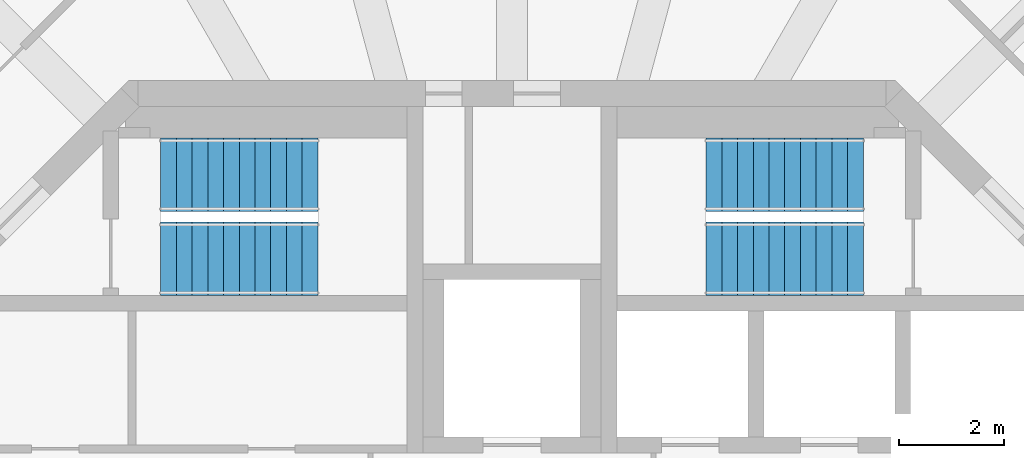
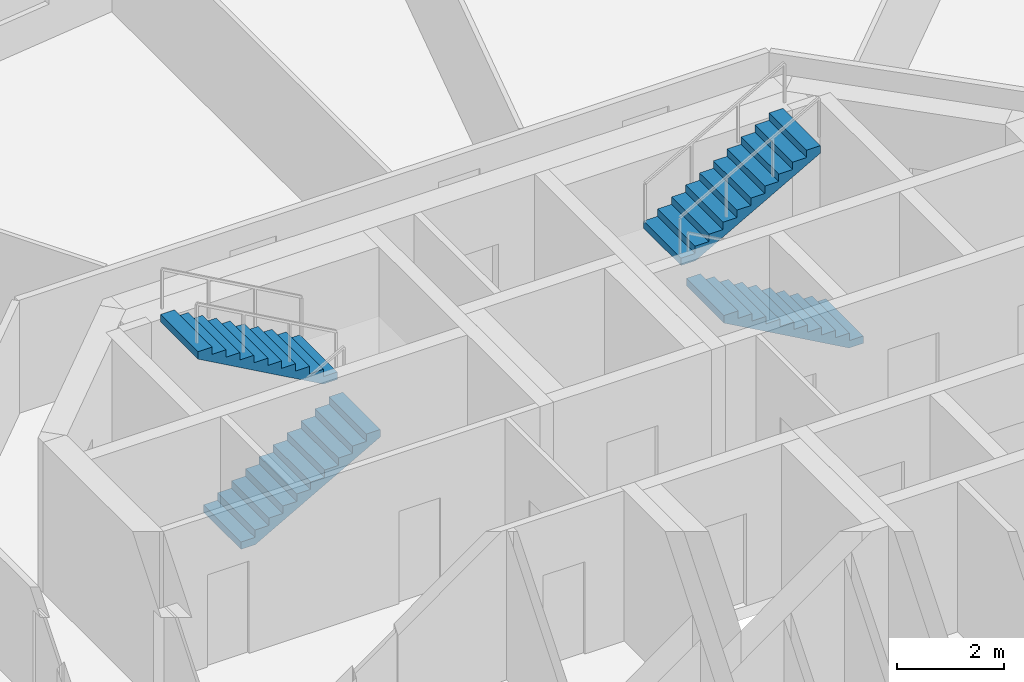
# One storey, part 7 of 9: 4 stair flights, 2 elements without a shape of their own.
"""IFC4 building model written with IfcOpenShell, lengths in metres."""

from ifc_helpers import new_model, si_unit, direction, frame, origin, place, context, subcontext, project, spatial, polyline, outline, extrude, material, type_object, element, aggregate, save


model = new_model("IFC4")

# Units and contexts
model_context = context("Model", 3, precision=1e-05, world=origin(), true_north=direction((0.0, 1.0)))
body_context = subcontext(model_context, "Body", "Model", "MODEL_VIEW")
ifc_project = project(units=[si_unit("LENGTHUNIT", "METRE"), si_unit("AREAUNIT", "SQUARE_METRE"), si_unit("VOLUMEUNIT", "CUBIC_METRE"), si_unit("PLANEANGLEUNIT", "RADIAN"), si_unit("MASSUNIT", "GRAM", prefix="KILO")], contexts=[model_context])

# Site, building, storey
site_placement = place(None, origin())
site = spatial("IfcSite", under=ifc_project, at=site_placement, CompositionType="ELEMENT")
building_placement = place(site_placement, origin())
building = spatial("IfcBuilding", under=site, at=building_placement, Name="Torre Triforio", CompositionType="ELEMENT")
storey_placement = place(building_placement, frame((0.0, 0.0, 268.60009765625)))
storey = spatial("IfcBuildingStorey", under=building, at=storey_placement, Name="L62", CompositionType="ELEMENT", Elevation=268.60009765625)

# Stair, stair flights
ifc_material = material(Name="Concrete C40", Category="concrete")
stair_type = type_object("IfcStairType", Name="STAIR HALF-TURN", PredefinedType="HALF_TURN_STAIR", material=ifc_material)
stair_1_placement = place(storey_placement, origin())
stair_1 = element("IfcStair", 1, at=stair_1_placement, inside=storey, type_object=stair_type, Name="Exit stair 1", PredefinedType="HALF_TURN_STAIR")
stair_flight_type = type_object("IfcStairFlightType", Name="STAIR FLIGHT 1400", PredefinedType="STRAIGHT", material=ifc_material)
stair_flight_1_placement = place(storey_placement, frame((-6.699951171875, 5.199951171875, 0.0), z_axis=(0.0, 0.0, 1.0), x_axis=(1.0, 0.0, 0.0)))
stair_flight_1 = element("IfcStairFlight", 2, at=stair_flight_1_placement, type_object=stair_flight_type, Name="ST1 flight 1", NumberOfRisers=11, NumberOfTreads=10, PredefinedType="STRAIGHT", RiserHeight=0.168181818, TreadLength=0.3, context=body_context, shape_type="SweptSolid", body=[
    extrude(outline(polyline([(0.0, 0.0), (0.0, 0.168212890625), (0.300048828125, 0.168212890625), (0.300048828125, 0.33642578125), (0.60009765625, 0.33642578125), (0.60009765625, 0.504638671875), (0.89990234375, 0.504638671875), (0.89990234375, 0.672607421875), (1.199951171875, 0.672607421875), (1.199951171875, 0.8408203125), (1.5, 0.8408203125), (1.5, 1.009033203125), (1.800048828125, 1.009033203125), (1.800048828125, 1.17724609375), (2.10009765625, 1.17724609375), (2.10009765625, 1.345458984375), (2.39990234375, 1.345458984375), (2.39990234375, 1.513671875), (2.699951171875, 1.513671875), (2.699951171875, 1.681884765625), (3.0, 1.681884765625), (3.0, 1.85009765625), (3.0, 1.510009765625), (0.306640625, 0.0), (0.0, 0.0)])), frame((0.0, 0.699951171875, 0.0), z_axis=(0.0, -1.0, 0.0), x_axis=(1.0, 0.0, 0.0)), (0.0, 0.0, 1.0), 1.39990234375),
])
stair_flight_2_placement = place(storey_placement, frame((-3.699951171875, 6.800048828125, 1.849853515625), z_axis=(0.0, 0.0, 1.0), x_axis=(-1.0, 0.0, 0.0)))
stair_flight_2 = element("IfcStairFlight", 3, at=stair_flight_2_placement, type_object=stair_flight_type, Name="ST1 flight 2", NumberOfRisers=11, NumberOfTreads=10, PredefinedType="STRAIGHT", RiserHeight=0.168181818, TreadLength=0.3, context=body_context, shape_type="SweptSolid", body=[
    extrude(outline(polyline([(0.0, 0.0), (0.0, 0.168212890625), (0.300048828125, 0.168212890625), (0.300048828125, 0.33642578125), (0.60009765625, 0.33642578125), (0.60009765625, 0.504638671875), (0.89990234375, 0.504638671875), (0.89990234375, 0.672607421875), (1.199951171875, 0.672607421875), (1.199951171875, 0.8408203125), (1.5, 0.8408203125), (1.5, 1.009033203125), (1.800048828125, 1.009033203125), (1.800048828125, 1.17724609375), (2.10009765625, 1.17724609375), (2.10009765625, 1.345458984375), (2.39990234375, 1.345458984375), (2.39990234375, 1.513671875), (2.699951171875, 1.513671875), (2.699951171875, 1.681884765625), (3.0, 1.681884765625), (3.0, 1.85009765625), (3.0, 1.510009765625), (0.306640625, 0.0), (0.0, 0.0)])), frame((0.0, 0.699951171875, 0.0), z_axis=(0.0, -1.0, 0.0), x_axis=(1.0, 0.0, 0.0)), (0.0, 0.0, 1.0), 1.39990234375),
])
aggregate(stair_1, [stair_flight_1, stair_flight_2])

stair_2_placement = place(storey_placement, origin())
stair_2 = element("IfcStair", 4, at=stair_2_placement, inside=storey, type_object=stair_type, Name="Exit stair 2", PredefinedType="HALF_TURN_STAIR")
stair_flight_3_placement = place(storey_placement, frame((6.699951171875, 5.199951171875, 0.0), z_axis=(0.0, 0.0, 1.0), x_axis=(-1.0, 0.0, 0.0)))
stair_flight_3 = element("IfcStairFlight", 5, at=stair_flight_3_placement, type_object=stair_flight_type, Name="ST2 flight 1", NumberOfRisers=11, NumberOfTreads=10, PredefinedType="STRAIGHT", RiserHeight=0.168181818, TreadLength=0.3, context=body_context, shape_type="SweptSolid", body=[
    extrude(outline(polyline([(0.0, 0.0), (0.0, 0.168212890625), (0.300048828125, 0.168212890625), (0.300048828125, 0.33642578125), (0.60009765625, 0.33642578125), (0.60009765625, 0.504638671875), (0.89990234375, 0.504638671875), (0.89990234375, 0.672607421875), (1.199951171875, 0.672607421875), (1.199951171875, 0.8408203125), (1.5, 0.8408203125), (1.5, 1.009033203125), (1.800048828125, 1.009033203125), (1.800048828125, 1.17724609375), (2.10009765625, 1.17724609375), (2.10009765625, 1.345458984375), (2.39990234375, 1.345458984375), (2.39990234375, 1.513671875), (2.699951171875, 1.513671875), (2.699951171875, 1.681884765625), (3.0, 1.681884765625), (3.0, 1.85009765625), (3.0, 1.510009765625), (0.306640625, 0.0), (0.0, 0.0)])), frame((0.0, 0.699951171875, 0.0), z_axis=(0.0, -1.0, 0.0), x_axis=(1.0, 0.0, 0.0)), (0.0, 0.0, 1.0), 1.39990234375),
])
stair_flight_4_placement = place(storey_placement, frame((3.699951171875, 6.800048828125, 1.849853515625), z_axis=(0.0, 0.0, 1.0), x_axis=(1.0, 0.0, 0.0)))
stair_flight_4 = element("IfcStairFlight", 6, at=stair_flight_4_placement, type_object=stair_flight_type, Name="ST2 flight 2", NumberOfRisers=11, NumberOfTreads=10, PredefinedType="STRAIGHT", RiserHeight=0.168181818, TreadLength=0.3, context=body_context, shape_type="SweptSolid", body=[
    extrude(outline(polyline([(0.0, 0.0), (0.0, 0.168212890625), (0.300048828125, 0.168212890625), (0.300048828125, 0.33642578125), (0.60009765625, 0.33642578125), (0.60009765625, 0.504638671875), (0.89990234375, 0.504638671875), (0.89990234375, 0.672607421875), (1.199951171875, 0.672607421875), (1.199951171875, 0.8408203125), (1.5, 0.8408203125), (1.5, 1.009033203125), (1.800048828125, 1.009033203125), (1.800048828125, 1.17724609375), (2.10009765625, 1.17724609375), (2.10009765625, 1.345458984375), (2.39990234375, 1.345458984375), (2.39990234375, 1.513671875), (2.699951171875, 1.513671875), (2.699951171875, 1.681884765625), (3.0, 1.681884765625), (3.0, 1.85009765625), (3.0, 1.510009765625), (0.306640625, 0.0), (0.0, 0.0)])), frame((0.0, 0.699951171875, 0.0), z_axis=(0.0, -1.0, 0.0), x_axis=(1.0, 0.0, 0.0)), (0.0, 0.0, 1.0), 1.39990234375),
])
aggregate(stair_2, [stair_flight_3, stair_flight_4])

save(model, "model.ifc")
